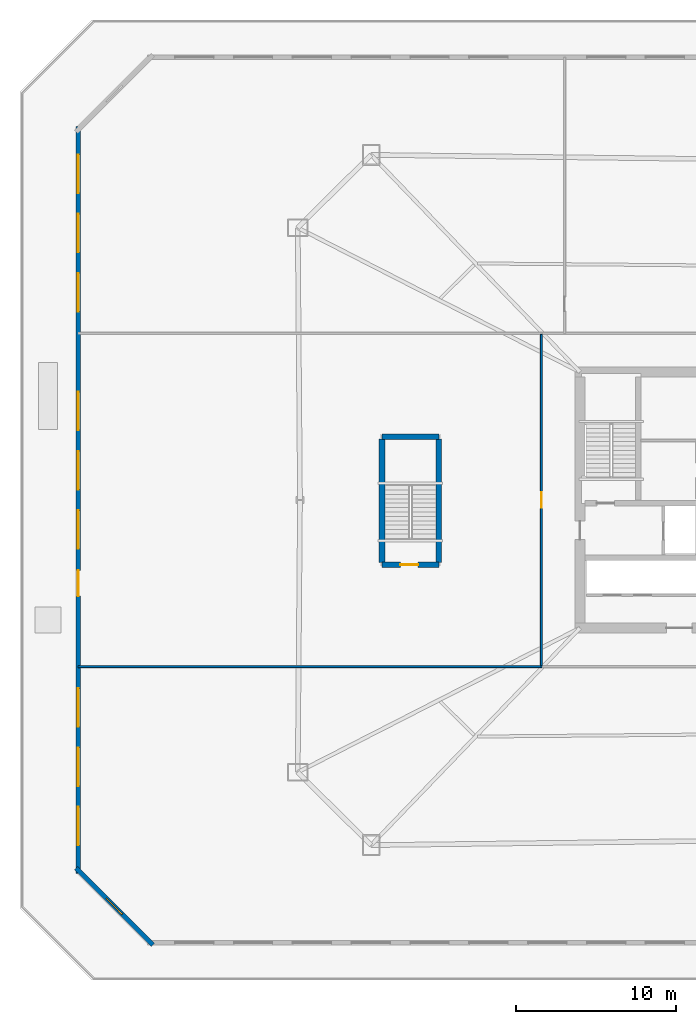
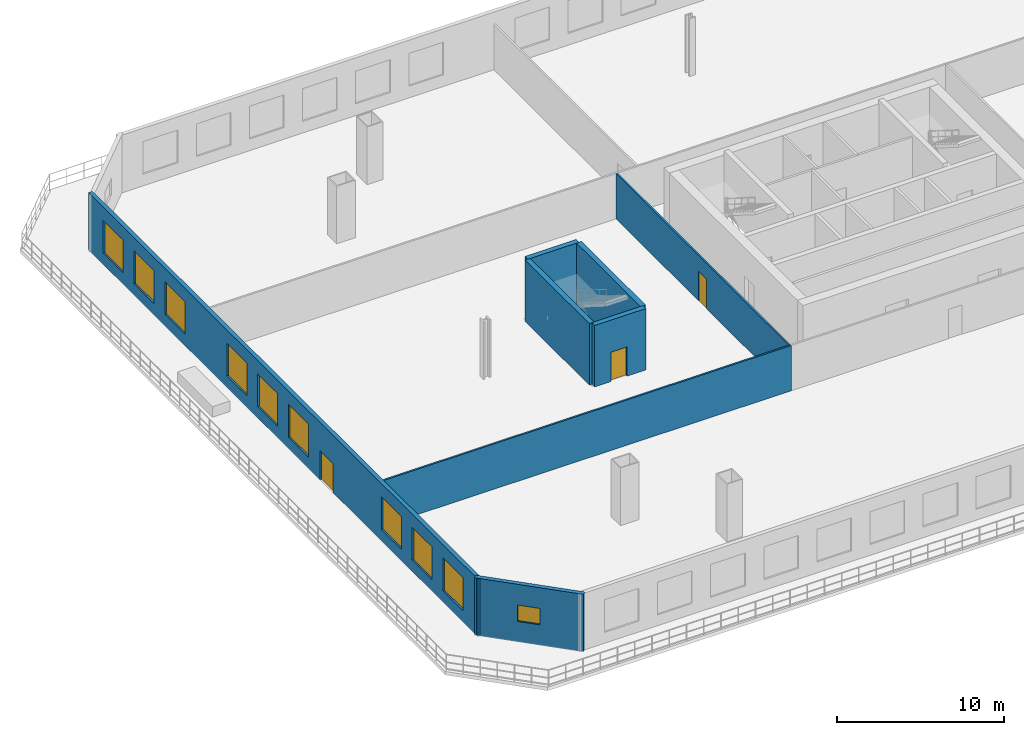
# One storey, part 2 of 9: 10 windows, 8 walls, 3 doors, 13 openings.
"""IFC4 building model written with IfcOpenShell, lengths in metres."""

from ifc_helpers import new_model, si_unit, direction, frame, frame_2d, origin, place, context, subcontext, project, spatial, rectangle, extrude, material, layer, layer_set, type_object, element, fill, save


model = new_model("IFC4")

# Units and contexts
model_context = context("Model", 3, precision=1e-05, world=origin(), true_north=direction((0.0, 1.0)))
body_context = subcontext(model_context, "Body", "Model", "MODEL_VIEW")
ifc_project = project(units=[si_unit("LENGTHUNIT", "METRE"), si_unit("AREAUNIT", "SQUARE_METRE"), si_unit("VOLUMEUNIT", "CUBIC_METRE"), si_unit("PLANEANGLEUNIT", "RADIAN"), si_unit("MASSUNIT", "GRAM", prefix="KILO")], contexts=[model_context])

# Site, building, storey
site_placement = place(None, origin())
site = spatial("IfcSite", under=ifc_project, at=site_placement, CompositionType="ELEMENT")
building_placement = place(site_placement, origin())
building = spatial("IfcBuilding", under=site, at=building_placement, Name="Caelvoria Tower", CompositionType="ELEMENT")
storey_placement = place(building_placement, frame((0.0, 0.0, 5.0)))
storey = spatial("IfcBuildingStorey", under=building, at=storey_placement, Name="L01", CompositionType="ELEMENT", Elevation=5.0)

# Wall, opening, door
ifc_material_1 = material(Name="Concrete C50/60", Category="concrete")
ifc_layer_1 = layer(ifc_material_1, 0.35009765625, Name="Concrete C50/60")
ifc_layer_set_1 = layer_set([ifc_layer_1], Name="Core Internal Shear Wall 350 - Concrete C50/60")
wall_type_1 = type_object("IfcWallType", Name="Core Internal Shear Wall 350", PredefinedType="SHEAR", material=ifc_layer_set_1)
wall_1_placement = place(storey_placement, frame((24.625, 27.949951171875, 0.0), z_axis=(0.0, 0.0, 1.0), x_axis=(1.0, 0.0, 0.0)))
wall_1 = element("IfcWall", 1, at=wall_1_placement, inside=storey, type_object=wall_type_1, Name="Podium Stair Shear Wall L01 ST3 S", PredefinedType="SHEAR", context=body_context, shape_type="SweptSolid", body=[
    extrude(rectangle(XDim=3.550048828125, YDim=0.35009765625, at=frame_2d((1.77490234375, 0.0))), origin(), (0.0, 0.0, 1.0), 4.5),
])
opening_1_placement = place(wall_1_placement, frame((1.14990234375, 0.0, 0.0)))
opening_1 = element("IfcOpeningElement", 2, at=opening_1_placement, cuts=wall_1, Name="Opening ID-01", PredefinedType="OPENING", context=body_context, shape_type="SweptSolid", body=[
    extrude(rectangle(XDim=1.10009765625, YDim=2.14990234375, at=frame_2d((0.550048828125, 1.074951171875))), frame((0.0, 0.18505859375, 0.0), z_axis=(0.0, -1.0, 0.0), x_axis=(1.0, 0.0, 0.0)), (0.0, 0.0, 1.0), 0.3701171875),
])
ifc_material_2 = material(Name="Painted Hollow Steel Fire Door", Category="steel")
door_type_1 = type_object("IfcDoorType", Name="Fire Door FD90S 1100x2150", OperationType="NOTDEFINED", PredefinedType="DOOR", material=ifc_material_2)
door_1_placement = place(opening_1_placement, origin())
door_1 = element("IfcDoor", 3, at=door_1_placement, inside=storey, type_object=door_type_1, Name="Podium Stair Door L01 ST3", OperationType="SINGLE_SWING_RIGHT", OverallHeight=2.14990234375, OverallWidth=1.10009765625, PredefinedType="DOOR", context=body_context, shape_type="SweptSolid", body=[
    extrude(rectangle(XDim=1.10009765625, YDim=2.14990234375, at=frame_2d((0.550048828125, 1.074951171875))), frame((0.0, 0.02490234375, 0.0), z_axis=(0.0, -1.0, 0.0), x_axis=(1.0, 0.0, 0.0)), (0.0, 0.0, 1.0), 0.050048828125),
])
fill(opening_1, door_1)

# Walls
wall_2_placement = place(storey_placement, frame((24.625, 35.949951171875, 0.0), z_axis=(0.0, 0.0, 1.0), x_axis=(1.0, 0.0, 0.0)))
element("IfcWall", 4, at=wall_2_placement, inside=storey, type_object=wall_type_1, Name="Podium Stair Shear Wall L01 ST3 N", PredefinedType="SHEAR", context=body_context, shape_type="SweptSolid", body=[
    extrude(rectangle(XDim=3.550048828125, YDim=0.35009765625, at=frame_2d((1.77490234375, 0.0))), origin(), (0.0, 0.0, 1.0), 4.5),
])
for number, where, z_axis, x_axis, name in (
    (5, (24.625, 28.10009765625, 0.0), (0.0, 0.0, 1.0), (0.0, 1.0, 0.0), "Podium Stair Shear Wall L01 ST3 W"),
    (6, (28.175048828125, 28.10009765625, 0.0), (0.0, 0.0, 1.0), (0.0, 1.0, 0.0), "Podium Stair Shear Wall L01 ST3 E"),
):
    element("IfcWall", number, at=place(storey_placement, frame(where, z_axis=z_axis, x_axis=x_axis)), inside=storey, type_object=wall_type_1, Name=name, PredefinedType="SHEAR", context=body_context, shape_type="SweptSolid", body=[
        extrude(rectangle(XDim=7.699951171875, YDim=0.35009765625, at=frame_2d((3.85009765625, 0.0))), origin(), (0.0, 0.0, 1.0), 4.5),
    ])

# Wall, openings, windows, door
ifc_material_3 = material(Name="Precast Concrete C40/50 with Bronze Cladding", Category="concrete")
ifc_layer_2 = layer(ifc_material_3, 0.280029296875, Name="Precast Concrete C40/50 with Bronze Cladding")
ifc_layer_set_2 = layer_set([ifc_layer_2], Name="Exterior Precast Concrete C40/50 Bronze-Clad Facade Wall 280 - Precast Concrete C40/50 with Bronze Cladding")
wall_type_2 = type_object("IfcWallType", Name="Exterior Precast Concrete C40/50 Bronze-Clad Facade Wall 280", PredefinedType="STANDARD", material=ifc_layer_set_2)
wall_3_placement = place(storey_placement, frame((5.639892578125, 55.340087890625, 0.0), z_axis=(0.0, 0.0, 1.0), x_axis=(0.0, -1.0, 0.0)))
wall_3 = element("IfcWall", 7, at=wall_3_placement, inside=storey, type_object=wall_type_2, Name="Exterior Facade Wall L01-E6", PredefinedType="STANDARD", context=body_context, shape_type="SweptSolid", body=[
    extrude(rectangle(XDim=46.68017578125, YDim=0.280029296875, at=frame_2d((23.340087890625, 0.0))), origin(), (0.0, 0.0, 1.0), 4.219970703125),
])
opening_2_placement = place(wall_3_placement, frame((27.739990234375, 0.0, 0.0)))
opening_2 = element("IfcOpeningElement", 8, at=opening_2_placement, cuts=wall_3, Name="Opening ED-03", PredefinedType="OPENING", context=body_context, shape_type="SweptSolid", body=[
    extrude(rectangle(XDim=1.60009765625, YDim=2.14990234375, at=frame_2d((0.800048828125, 1.074951171875))), frame((0.0, 0.14990234375, 0.0), z_axis=(0.0, -1.0, 0.0), x_axis=(1.0, 0.0, 0.0)), (0.0, 0.0, 1.0), 0.300048828125),
])
opening_3_placement = place(wall_3_placement, frame((1.75341796875, 0.0, 0.85009765625)))
opening_3 = element("IfcOpeningElement", 9, at=opening_3_placement, cuts=wall_3, Name="Opening WN-04", PredefinedType="OPENING", context=body_context, shape_type="SweptSolid", body=[
    extrude(rectangle(XDim=2.39990234375, YDim=2.39990234375, at=frame_2d((1.199951171875, 1.199951171875))), frame((0.0, 0.14990234375, 0.0), z_axis=(0.0, -1.0, 0.0), x_axis=(1.0, 0.0, 0.0)), (0.0, 0.0, 1.0), 0.300048828125),
])
opening_4_placement = place(wall_3_placement, frame((5.4599609375, 0.0, 0.85009765625)))
opening_4 = element("IfcOpeningElement", 10, at=opening_4_placement, cuts=wall_3, Name="Opening WN-04", PredefinedType="OPENING", context=body_context, shape_type="SweptSolid", body=[
    extrude(rectangle(XDim=2.39990234375, YDim=2.39990234375, at=frame_2d((1.199951171875, 1.199951171875))), frame((0.0, 0.14990234375, 0.0), z_axis=(0.0, -1.0, 0.0), x_axis=(1.0, 0.0, 0.0)), (0.0, 0.0, 1.0), 0.300048828125),
])
opening_5_placement = place(wall_3_placement, frame((9.166748046875, 0.0, 0.85009765625)))
opening_5 = element("IfcOpeningElement", 11, at=opening_5_placement, cuts=wall_3, Name="Opening WN-04", PredefinedType="OPENING", context=body_context, shape_type="SweptSolid", body=[
    extrude(rectangle(XDim=2.39990234375, YDim=2.39990234375, at=frame_2d((1.199951171875, 1.199951171875))), frame((0.0, 0.14990234375, 0.0), z_axis=(0.0, -1.0, 0.0), x_axis=(1.0, 0.0, 0.0)), (0.0, 0.0, 1.0), 0.300048828125),
])
opening_6_placement = place(wall_3_placement, frame((16.580078125, 0.0, 0.85009765625)))
opening_6 = element("IfcOpeningElement", 12, at=opening_6_placement, cuts=wall_3, Name="Opening WN-04", PredefinedType="OPENING", context=body_context, shape_type="SweptSolid", body=[
    extrude(rectangle(XDim=2.39990234375, YDim=2.39990234375, at=frame_2d((1.199951171875, 1.199951171875))), frame((0.0, 0.14990234375, 0.0), z_axis=(0.0, -1.0, 0.0), x_axis=(1.0, 0.0, 0.0)), (0.0, 0.0, 1.0), 0.300048828125),
])
opening_7_placement = place(wall_3_placement, frame((20.28662109375, 0.0, 0.85009765625)))
opening_7 = element("IfcOpeningElement", 13, at=opening_7_placement, cuts=wall_3, Name="Opening WN-04", PredefinedType="OPENING", context=body_context, shape_type="SweptSolid", body=[
    extrude(rectangle(XDim=2.39990234375, YDim=2.39990234375, at=frame_2d((1.199951171875, 1.199951171875))), frame((0.0, 0.14990234375, 0.0), z_axis=(0.0, -1.0, 0.0), x_axis=(1.0, 0.0, 0.0)), (0.0, 0.0, 1.0), 0.300048828125),
])
opening_8_placement = place(wall_3_placement, frame((23.993408203125, 0.0, 0.85009765625)))
opening_8 = element("IfcOpeningElement", 14, at=opening_8_placement, cuts=wall_3, Name="Opening WN-04", PredefinedType="OPENING", context=body_context, shape_type="SweptSolid", body=[
    extrude(rectangle(XDim=2.39990234375, YDim=2.39990234375, at=frame_2d((1.199951171875, 1.199951171875))), frame((0.0, 0.14990234375, 0.0), z_axis=(0.0, -1.0, 0.0), x_axis=(1.0, 0.0, 0.0)), (0.0, 0.0, 1.0), 0.300048828125),
])
opening_9_placement = place(wall_3_placement, frame((35.11328125, 0.0, 0.85009765625)))
opening_9 = element("IfcOpeningElement", 15, at=opening_9_placement, cuts=wall_3, Name="Opening WN-04", PredefinedType="OPENING", context=body_context, shape_type="SweptSolid", body=[
    extrude(rectangle(XDim=2.39990234375, YDim=2.39990234375, at=frame_2d((1.199951171875, 1.199951171875))), frame((0.0, 0.14990234375, 0.0), z_axis=(0.0, -1.0, 0.0), x_axis=(1.0, 0.0, 0.0)), (0.0, 0.0, 1.0), 0.300048828125),
])
opening_10_placement = place(wall_3_placement, frame((38.820068359375, 0.0, 0.85009765625)))
opening_10 = element("IfcOpeningElement", 16, at=opening_10_placement, cuts=wall_3, Name="Opening WN-04", PredefinedType="OPENING", context=body_context, shape_type="SweptSolid", body=[
    extrude(rectangle(XDim=2.39990234375, YDim=2.39990234375, at=frame_2d((1.199951171875, 1.199951171875))), frame((0.0, 0.14990234375, 0.0), z_axis=(0.0, -1.0, 0.0), x_axis=(1.0, 0.0, 0.0)), (0.0, 0.0, 1.0), 0.300048828125),
])
opening_11_placement = place(wall_3_placement, frame((42.526611328125, 0.0, 0.85009765625)))
opening_11 = element("IfcOpeningElement", 17, at=opening_11_placement, cuts=wall_3, Name="Opening WN-04", PredefinedType="OPENING", context=body_context, shape_type="SweptSolid", body=[
    extrude(rectangle(XDim=2.39990234375, YDim=2.39990234375, at=frame_2d((1.199951171875, 1.199951171875))), frame((0.0, 0.14990234375, 0.0), z_axis=(0.0, -1.0, 0.0), x_axis=(1.0, 0.0, 0.0)), (0.0, 0.0, 1.0), 0.300048828125),
])
ifc_material_4 = material(Name="Low-E Tinted Glass in Bronze Aluminium Frame", Category="aluminium")
window_type_1 = type_object("IfcWindowType", Name="Podium Commercial Ribbon Window 2400x2400", PartitioningType="SINGLE_PANEL", PredefinedType="WINDOW", material=ifc_material_4)
window_1_placement = place(opening_3_placement, origin())
window_1 = element("IfcWindow", 18, at=window_1_placement, inside=storey, type_object=window_type_1, Name="Facade Window L01-E6-00", OverallHeight=2.39990234375, OverallWidth=2.39990234375, PartitioningType="SINGLE_PANEL", PredefinedType="WINDOW", context=body_context, shape_type="SweptSolid", body=[
    extrude(rectangle(XDim=2.39990234375, YDim=2.39990234375, at=frame_2d((1.199951171875, 1.199951171875))), frame((0.0, 0.030029296875, 0.0), z_axis=(0.0, -1.0, 0.0), x_axis=(1.0, 0.0, 0.0)), (0.0, 0.0, 1.0), 0.06005859375),
])
fill(opening_3, window_1)
window_2_placement = place(opening_4_placement, origin())
window_2 = element("IfcWindow", 19, at=window_2_placement, inside=storey, type_object=window_type_1, Name="Facade Window L01-E6-01", OverallHeight=2.39990234375, OverallWidth=2.39990234375, PartitioningType="SINGLE_PANEL", PredefinedType="WINDOW", context=body_context, shape_type="SweptSolid", body=[
    extrude(rectangle(XDim=2.39990234375, YDim=2.39990234375, at=frame_2d((1.199951171875, 1.199951171875))), frame((0.0, 0.030029296875, 0.0), z_axis=(0.0, -1.0, 0.0), x_axis=(1.0, 0.0, 0.0)), (0.0, 0.0, 1.0), 0.06005859375),
])
fill(opening_4, window_2)
window_3_placement = place(opening_5_placement, origin())
window_3 = element("IfcWindow", 20, at=window_3_placement, inside=storey, type_object=window_type_1, Name="Facade Window L01-E6-02", OverallHeight=2.39990234375, OverallWidth=2.39990234375, PartitioningType="SINGLE_PANEL", PredefinedType="WINDOW", context=body_context, shape_type="SweptSolid", body=[
    extrude(rectangle(XDim=2.39990234375, YDim=2.39990234375, at=frame_2d((1.199951171875, 1.199951171875))), frame((0.0, 0.030029296875, 0.0), z_axis=(0.0, -1.0, 0.0), x_axis=(1.0, 0.0, 0.0)), (0.0, 0.0, 1.0), 0.06005859375),
])
fill(opening_5, window_3)
window_4_placement = place(opening_6_placement, origin())
window_4 = element("IfcWindow", 21, at=window_4_placement, inside=storey, type_object=window_type_1, Name="Facade Window L01-E6-04", OverallHeight=2.39990234375, OverallWidth=2.39990234375, PartitioningType="SINGLE_PANEL", PredefinedType="WINDOW", context=body_context, shape_type="SweptSolid", body=[
    extrude(rectangle(XDim=2.39990234375, YDim=2.39990234375, at=frame_2d((1.199951171875, 1.199951171875))), frame((0.0, 0.030029296875, 0.0), z_axis=(0.0, -1.0, 0.0), x_axis=(1.0, 0.0, 0.0)), (0.0, 0.0, 1.0), 0.06005859375),
])
fill(opening_6, window_4)
window_5_placement = place(opening_7_placement, origin())
window_5 = element("IfcWindow", 22, at=window_5_placement, inside=storey, type_object=window_type_1, Name="Facade Window L01-E6-05", OverallHeight=2.39990234375, OverallWidth=2.39990234375, PartitioningType="SINGLE_PANEL", PredefinedType="WINDOW", context=body_context, shape_type="SweptSolid", body=[
    extrude(rectangle(XDim=2.39990234375, YDim=2.39990234375, at=frame_2d((1.199951171875, 1.199951171875))), frame((0.0, 0.030029296875, 0.0), z_axis=(0.0, -1.0, 0.0), x_axis=(1.0, 0.0, 0.0)), (0.0, 0.0, 1.0), 0.06005859375),
])
fill(opening_7, window_5)
window_6_placement = place(opening_8_placement, origin())
window_6 = element("IfcWindow", 23, at=window_6_placement, inside=storey, type_object=window_type_1, Name="Facade Window L01-E6-06", OverallHeight=2.39990234375, OverallWidth=2.39990234375, PartitioningType="SINGLE_PANEL", PredefinedType="WINDOW", context=body_context, shape_type="SweptSolid", body=[
    extrude(rectangle(XDim=2.39990234375, YDim=2.39990234375, at=frame_2d((1.199951171875, 1.199951171875))), frame((0.0, 0.030029296875, 0.0), z_axis=(0.0, -1.0, 0.0), x_axis=(1.0, 0.0, 0.0)), (0.0, 0.0, 1.0), 0.06005859375),
])
fill(opening_8, window_6)
window_7_placement = place(opening_9_placement, origin())
window_7 = element("IfcWindow", 24, at=window_7_placement, inside=storey, type_object=window_type_1, Name="Facade Window L01-E6-09", OverallHeight=2.39990234375, OverallWidth=2.39990234375, PartitioningType="SINGLE_PANEL", PredefinedType="WINDOW", context=body_context, shape_type="SweptSolid", body=[
    extrude(rectangle(XDim=2.39990234375, YDim=2.39990234375, at=frame_2d((1.199951171875, 1.199951171875))), frame((0.0, 0.030029296875, 0.0), z_axis=(0.0, -1.0, 0.0), x_axis=(1.0, 0.0, 0.0)), (0.0, 0.0, 1.0), 0.06005859375),
])
fill(opening_9, window_7)
window_8_placement = place(opening_10_placement, origin())
window_8 = element("IfcWindow", 25, at=window_8_placement, inside=storey, type_object=window_type_1, Name="Facade Window L01-E6-10", OverallHeight=2.39990234375, OverallWidth=2.39990234375, PartitioningType="SINGLE_PANEL", PredefinedType="WINDOW", context=body_context, shape_type="SweptSolid", body=[
    extrude(rectangle(XDim=2.39990234375, YDim=2.39990234375, at=frame_2d((1.199951171875, 1.199951171875))), frame((0.0, 0.030029296875, 0.0), z_axis=(0.0, -1.0, 0.0), x_axis=(1.0, 0.0, 0.0)), (0.0, 0.0, 1.0), 0.06005859375),
])
fill(opening_10, window_8)
window_9_placement = place(opening_11_placement, origin())
window_9 = element("IfcWindow", 26, at=window_9_placement, inside=storey, type_object=window_type_1, Name="Facade Window L01-E6-11", OverallHeight=2.39990234375, OverallWidth=2.39990234375, PartitioningType="SINGLE_PANEL", PredefinedType="WINDOW", context=body_context, shape_type="SweptSolid", body=[
    extrude(rectangle(XDim=2.39990234375, YDim=2.39990234375, at=frame_2d((1.199951171875, 1.199951171875))), frame((0.0, 0.030029296875, 0.0), z_axis=(0.0, -1.0, 0.0), x_axis=(1.0, 0.0, 0.0)), (0.0, 0.0, 1.0), 0.06005859375),
])
fill(opening_11, window_9)
ifc_material_5 = material(Name="Anodised Bronze Aluminium and Laminated Glass", Category="aluminium")
door_type_2 = type_object("IfcDoorType", Name="Terrace Garden Double Glazed Door 1600x2150", OperationType="NOTDEFINED", PredefinedType="DOOR", material=ifc_material_5)
door_2_placement = place(opening_2_placement, origin())
door_2 = element("IfcDoor", 27, at=door_2_placement, inside=storey, type_object=door_type_2, Name="Terrace Roof Garden Door L01-W", OperationType="DOUBLE_DOOR_SINGLE_SWING", OverallHeight=2.14990234375, OverallWidth=1.60009765625, PredefinedType="DOOR", context=body_context, shape_type="SweptSolid", body=[
    extrude(rectangle(XDim=1.60009765625, YDim=2.14990234375, at=frame_2d((0.800048828125, 1.074951171875))), frame((0.0, 0.02490234375, 0.0), z_axis=(0.0, -1.0, 0.0), x_axis=(1.0, 0.0, 0.0)), (0.0, 0.0, 1.0), 0.050048828125),
])
fill(opening_2, door_2)

# Wall, opening, window
wall_4_placement = place(storey_placement, frame((5.5, 8.998046875, 0.0), z_axis=(0.0, 0.0, 1.0), x_axis=(0.707106781187, -0.707106781187, 0.0)))
wall_4 = element("IfcWall", 28, at=wall_4_placement, inside=storey, type_object=wall_type_2, Name="Exterior Facade Wall L01-E7", PredefinedType="STANDARD", context=body_context, shape_type="SweptSolid", body=[
    extrude(rectangle(XDim=6.78564453125, YDim=0.280029296875, at=frame_2d((3.392822265625, 0.0))), origin(), (0.0, 0.0, 1.0), 4.219970703125),
])
opening_12_placement = place(wall_4_placement, frame((2.692626953125, 0.0, 1.5)))
opening_12 = element("IfcOpeningElement", 29, at=opening_12_placement, cuts=wall_4, Name="Opening WN-06", PredefinedType="OPENING", context=body_context, shape_type="SweptSolid", body=[
    extrude(rectangle(XDim=1.39990234375, YDim=1.199951171875, at=frame_2d((0.699951171875, 0.60009765625))), frame((0.0, 0.14990234375, 0.0), z_axis=(0.0, -1.0, 0.0), x_axis=(1.0, 0.0, 0.0)), (0.0, 0.0, 1.0), 0.300048828125),
])
window_type_2 = type_object("IfcWindowType", Name="Podium Clerestory Window 1400x1200", PartitioningType="SINGLE_PANEL", PredefinedType="WINDOW", material=ifc_material_4)
window_10_placement = place(opening_12_placement, origin())
window_10 = element("IfcWindow", 30, at=window_10_placement, inside=storey, type_object=window_type_2, Name="Facade Window L01-E7-00", OverallHeight=1.199951171875, OverallWidth=1.39990234375, PartitioningType="SINGLE_PANEL", PredefinedType="WINDOW", context=body_context, shape_type="SweptSolid", body=[
    extrude(rectangle(XDim=1.39990234375, YDim=1.199951171875, at=frame_2d((0.699951171875, 0.60009765625))), frame((0.0, 0.030029296875, 0.0), z_axis=(0.0, -1.0, 0.0), x_axis=(1.0, 0.0, 0.0)), (0.0, 0.0, 1.0), 0.06005859375),
])
fill(opening_12, window_10)

# Wall, opening, door
ifc_material_6 = material(Name="Acoustic Gypsum Board on Light-Gauge Stud", Category="gypsum")
ifc_layer_3 = layer(ifc_material_6, 0.1201171875, Name="Acoustic Gypsum Board on Light-Gauge Stud")
ifc_layer_set_3 = layer_set([ifc_layer_3], Name="Tenant Suite Acoustic Partition Wall 120 - Acoustic Gypsum Board on Light-Gauge Stud")
wall_type_3 = type_object("IfcWallType", Name="Tenant Suite Acoustic Partition Wall 120", PredefinedType="PARTITIONING", material=ifc_layer_set_3)
wall_5_placement = place(storey_placement, frame((34.590087890625, 21.64990234375, 0.0), z_axis=(0.0, 0.0, 1.0), x_axis=(0.0, 1.0, 0.0)))
wall_5 = element("IfcWall", 31, at=wall_5_placement, inside=storey, type_object=wall_type_3, Name="Interior Partition IW-L01-WCW-0", PredefinedType="PARTITIONING", context=body_context, shape_type="SweptSolid", body=[
    extrude(rectangle(XDim=20.7001953125, YDim=0.1201171875, at=frame_2d((10.35009765625, 0.0))), origin(), (0.0, 0.0, 1.0), 3.320068359375),
])
opening_13_placement = place(wall_5_placement, frame((9.875, 0.0, 0.0)))
opening_13 = element("IfcOpeningElement", 32, at=opening_13_placement, cuts=wall_5, Name="Opening ID-05", PredefinedType="OPENING", context=body_context, shape_type="SweptSolid", body=[
    extrude(rectangle(XDim=0.949951171875, YDim=2.14990234375, at=frame_2d((0.47509765625, 1.074951171875))), frame((0.0, 0.070068359375, 0.0), z_axis=(0.0, -1.0, 0.0), x_axis=(1.0, 0.0, 0.0)), (0.0, 0.0, 1.0), 0.14013671875),
])
ifc_material_7 = material(Name="Engineered Andean Oak Veneer Door", Category="wood")
door_type_3 = type_object("IfcDoorType", Name="Interior Timber Door 950x2150", OperationType="NOTDEFINED", PredefinedType="DOOR", material=ifc_material_7)
door_3_placement = place(opening_13_placement, origin())
door_3 = element("IfcDoor", 33, at=door_3_placement, inside=storey, type_object=door_type_3, Name="Interior Door DR-L01-WC-00-0", OperationType="SINGLE_SWING_RIGHT", OverallHeight=2.14990234375, OverallWidth=0.949951171875, PredefinedType="DOOR", context=body_context, shape_type="SweptSolid", body=[
    extrude(rectangle(XDim=0.949951171875, YDim=2.14990234375, at=frame_2d((0.47509765625, 1.074951171875))), frame((0.0, 0.02490234375, 0.0), z_axis=(0.0, -1.0, 0.0), x_axis=(1.0, 0.0, 0.0)), (0.0, 0.0, 1.0), 0.050048828125),
])
fill(opening_13, door_3)

# Wall
wall_6_placement = place(storey_placement, frame((34.64990234375, 21.590087890625, 0.0), z_axis=(0.0, 0.0, 1.0), x_axis=(-1.0, 0.0, 0.0)))
element("IfcWall", 34, at=wall_6_placement, inside=storey, type_object=wall_type_3, Name="Interior Partition IW-L01-BSW-0", PredefinedType="PARTITIONING", context=body_context, shape_type="SweptSolid", body=[
    extrude(rectangle(XDim=29.010009765625, YDim=0.1201171875, at=frame_2d((14.5048828125, 0.0))), origin(), (0.0, 0.0, 1.0), 3.320068359375),
])

save(model, "model.ifc")
